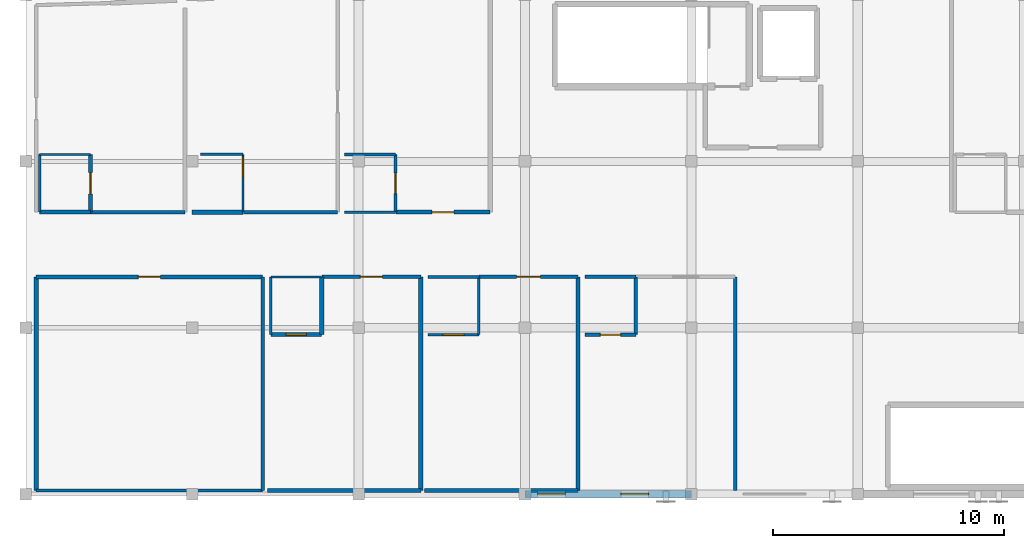
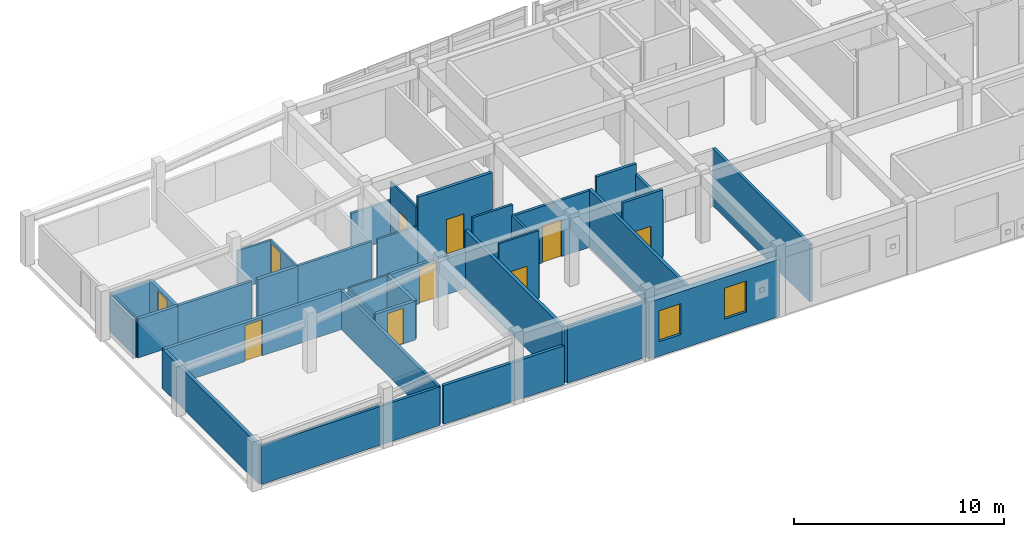
# One storey, part 19 of 24: 35 walls, 10 doors, 2 windows, 12 openings.
"""IFC4 building model written with IfcOpenShell, lengths in metres."""

import ifcopenshell
import ifcopenshell.guid

model = None  # the IFC model being written
_history = None  # IfcOwnerHistory: only IFC2X3 demands one
_inside = {}  # id of a spatial element -> (the spatial element, [elements in it])
_under = {}  # id of a project, library or spatial element -> (it, [spatial elements below it])
_declared = {}  # id of a project -> (the project, [libraries it declares])
_typed = {}  # id of a type object -> (the type object, [elements of that type])
_made_of = {}  # id of a material, layer set ... -> (it, [elements and type objects made of it])


def new_model(schema):
    """Start an empty IFC model of exactly this schema.

    Asked for "IFC4X3", IfcOpenShell would pick the latest addendum, in which some entities
    have other attributes; the version numbers below select the first issue.
    IFC2X3 requires an IfcOwnerHistory on every rooted entity: one is made here for all.
    """
    global model, _history
    if schema == "IFC4X3":
        model = ifcopenshell.file(schema_version=(4, 3, 0, 0))
    else:
        model = ifcopenshell.file(schema=schema)
    _inside.clear()
    _under.clear()
    _declared.clear()
    _typed.clear()
    _made_of.clear()
    _history = None
    if model.schema == "IFC2X3":
        org = make("IfcOrganization", Name="unknown")
        user = make(
            "IfcPersonAndOrganization",
            ThePerson=make("IfcPerson", FamilyName="unknown"),
            TheOrganization=org,
        )
        app = make(
            "IfcApplication",
            ApplicationDeveloper=org,
            Version="unknown",
            ApplicationFullName="unknown",
            ApplicationIdentifier="unknown",
        )
        _history = make(
            "IfcOwnerHistory",
            OwningUser=user,
            OwningApplication=app,
            ChangeAction="ADDED",
            CreationDate=0,
        )
    return model


def make(cls, **values):
    """One entity of the class cls with the attributes given. An attribute that is None is left unset."""
    return model.create_entity(
        cls, **{name: value for name, value in values.items() if value is not None}
    )


def rooted(cls, **values):
    """An entity with a GlobalId (a new one), such as an element, a storey or a relation."""
    return make(cls, GlobalId=ifcopenshell.guid.new(), OwnerHistory=_history, **values)


def si_unit(unit_type, name, prefix=None):
    """IfcSIUnit, for example si_unit("LENGTHUNIT", "METRE", prefix="MILLI")."""
    return make("IfcSIUnit", UnitType=unit_type, Prefix=prefix, Name=name)


def assignment(units):
    """IfcUnitAssignment: the units of a project."""
    return None if units is None else make("IfcUnitAssignment", Units=units)


def point(xyz):
    """IfcCartesianPoint."""
    return None if xyz is None else make("IfcCartesianPoint", Coordinates=xyz)


def direction(xyz):
    """IfcDirection."""
    return None if xyz is None else make("IfcDirection", DirectionRatios=xyz)


def frame(location, z_axis=None, x_axis=None):
    """IfcAxis2Placement3D, a coordinate frame: its origin and axes. An axis left out is left unset."""
    return make(
        "IfcAxis2Placement3D",
        Location=point(location),
        Axis=direction(z_axis),
        RefDirection=direction(x_axis),
    )


def frame_2d(location, x_axis=None):
    """IfcAxis2Placement2D, a coordinate frame in the plane: its origin and x axis."""
    return make(
        "IfcAxis2Placement2D", Location=point(location), RefDirection=direction(x_axis)
    )


def origin():
    """The frame at (0, 0, 0) with its axes left unset."""
    return frame((0.0, 0.0, 0.0))


def place(relative_to, where):
    """IfcLocalPlacement: puts the frame where relative to a parent placement (None: the world)."""
    return make(
        "IfcLocalPlacement", PlacementRelTo=relative_to, RelativePlacement=where
    )


def context(
    kind, dimensions, precision=None, world=None, true_north=None, identifier=None
):
    """IfcGeometricRepresentationContext, for example the 3D "Model" context."""
    return make(
        "IfcGeometricRepresentationContext",
        ContextIdentifier=identifier,
        ContextType=kind,
        CoordinateSpaceDimension=dimensions,
        Precision=precision,
        WorldCoordinateSystem=world,
        TrueNorth=true_north,
    )


def subcontext(parent, identifier, kind, view, scale=None):
    """IfcGeometricRepresentationSubContext, for example "Body" below "Model"."""
    return make(
        "IfcGeometricRepresentationSubContext",
        ContextIdentifier=identifier,
        ContextType=kind,
        ParentContext=parent,
        TargetScale=scale,
        TargetView=view,
    )


def project(units=None, contexts=None):
    """IfcProject with its units and contexts."""
    return rooted(
        "IfcProject",
        Name="project",
        RepresentationContexts=contexts,
        UnitsInContext=assignment(units),
    )


def spatial(cls, under=None, at=None, **own):
    """A site, building, storey or space (cls), placed at a placement, below another one or the project."""
    s = rooted(cls, ObjectPlacement=at, **own)
    if under is not None:
        _under.setdefault(under.id(), (under, []))[1].append(s)
    return s


def profile(cls, at=None, kind="AREA", **sizes):
    """A parametric profile (cls). Its sizes go by their IFC names, for example OverallWidth=200.0."""
    return make(cls, ProfileType=kind, Position=at, **sizes)


def rectangle(**sizes):
    """IfcRectangleProfileDef."""
    return profile("IfcRectangleProfileDef", **sizes)


def extrude(swept, where, along, depth):
    """IfcExtrudedAreaSolid: the profile swept, set in the frame where, extruded along a direction by depth."""
    return make(
        "IfcExtrudedAreaSolid",
        SweptArea=swept,
        Position=where,
        ExtrudedDirection=direction(along),
        Depth=depth,
    )


def shape(context_of_items, identifier, shape_type, items):
    """IfcShapeRepresentation: the items that make up one representation, for example the "Body"."""
    return make(
        "IfcShapeRepresentation",
        ContextOfItems=context_of_items,
        RepresentationIdentifier=identifier,
        RepresentationType=shape_type,
        Items=items,
    )


def material(Name=None, Category=None):
    """IfcMaterial."""
    return make("IfcMaterial", Name=Name, Category=Category)


def layer(
    of_material, thickness, ventilated=None, Name=None, Category=None, Priority=None
):
    """IfcMaterialLayer: one layer of a wall or slab, of a material (None: an air gap)."""
    return make(
        "IfcMaterialLayer",
        Material=of_material,
        LayerThickness=thickness,
        IsVentilated=ventilated,
        Name=Name,
        Category=Category,
        Priority=Priority,
    )


def layer_set(layers, Name=None):
    """IfcMaterialLayerSet."""
    return make("IfcMaterialLayerSet", MaterialLayers=layers, LayerSetName=Name)


def made_of(thing, what):
    """Note that an element or type object is made of a material, layer set ...; save() writes the relation."""
    if what is not None:
        _made_of.setdefault(what.id(), (what, []))[1].append(thing)
    return thing


def type_object(cls, material=None, **own):
    """A type object (cls), such as IfcWallType, which elements share."""
    return made_of(rooted(cls, **own), material)


def element(
    cls,
    number,
    at=None,
    inside=None,
    cuts=None,
    type_object=None,
    material=None,
    context=None,
    identifier="Body",
    shape_type=None,
    held_by="IfcProductDefinitionShape",
    body=None,
    shapes=None,
    **own,
):
    """One element of the class cls, such as IfcWall. Its Tag is "e" and its number.

    at: its placement. inside: the storey or other place that contains it. cuts: it is an
    opening in that element (IfcRelVoidsElement). A single representation is given by context,
    identifier, shape_type and body (its items); several are given by shapes. held_by: the class
    of the entity that holds the representations. save() writes the other relations.
    """
    e = rooted(cls, Tag="e%d" % number, ObjectPlacement=at, **own)
    if body is not None:
        shapes = [shape(context, identifier, shape_type, body)]
    if shapes is not None:
        e.Representation = make(held_by, Representations=shapes)
    if inside is not None:
        _inside.setdefault(inside.id(), (inside, []))[1].append(e)
    if cuts is not None:
        rooted(
            "IfcRelVoidsElement", RelatingBuildingElement=cuts, RelatedOpeningElement=e
        )
    if type_object is not None:
        _typed.setdefault(type_object.id(), (type_object, []))[1].append(e)
    return made_of(e, material)


def fill(opening, filler):
    """IfcRelFillsElement: the door or window that sits in an opening."""
    return rooted(
        "IfcRelFillsElement",
        RelatingOpeningElement=opening,
        RelatedBuildingElement=filler,
    )


def aggregate(whole, parts):
    """IfcRelAggregates: a whole, such as a stair, and the parts it consists of."""
    return rooted("IfcRelAggregates", RelatingObject=whole, RelatedObjects=parts)


def save(model, path):
    """Write the relations noted so far, then the file.

    IfcRelAggregates (storeys below a building ...), IfcRelContainedInSpatialStructure (elements
    in a storey), IfcRelDefinesByType, IfcRelAssociatesMaterial and IfcRelDeclares: one each for
    every whole, place, type object, material and project.
    """
    for whole, parts in _under.values():
        aggregate(whole, parts)
    for where, things in _inside.values():
        rooted(
            "IfcRelContainedInSpatialStructure",
            RelatedElements=things,
            RelatingStructure=where,
        )
    for kind, things in _typed.values():
        rooted("IfcRelDefinesByType", RelatedObjects=things, RelatingType=kind)
    for what, things in _made_of.values():
        rooted("IfcRelAssociatesMaterial", RelatedObjects=things, RelatingMaterial=what)
    for by, libraries in _declared.values():
        rooted("IfcRelDeclares", RelatingContext=by, RelatedDefinitions=libraries)
    model.write(path)


model = new_model("IFC4")

# Units and contexts
model_context = context("Model", 3, precision=1e-05, world=origin(), true_north=direction((0.0, 1.0)))
body_context = subcontext(model_context, "Body", "Model", "MODEL_VIEW")
ifc_project = project(units=[si_unit("LENGTHUNIT", "METRE"), si_unit("AREAUNIT", "SQUARE_METRE"), si_unit("VOLUMEUNIT", "CUBIC_METRE"), si_unit("PLANEANGLEUNIT", "RADIAN"), si_unit("MASSUNIT", "GRAM", prefix="KILO")], contexts=[model_context])

# Site, building, storey
site_placement = place(None, origin())
site = spatial("IfcSite", under=ifc_project, at=site_placement, CompositionType="ELEMENT")
building_placement = place(site_placement, origin())
building = spatial("IfcBuilding", under=site, at=building_placement, Name="Carrowvane Square Congress Hotel", CompositionType="ELEMENT")
storey_placement = place(building_placement, frame((0.0, 0.0, 44.39990234375)))
storey = spatial("IfcBuildingStorey", under=building, at=storey_placement, Name="L11", CompositionType="ELEMENT", Elevation=44.39990234375)

# Wall, openings, windows
ifc_material_1 = material(Name="Glazed terracotta rainscreen", Category="masonry")
ifc_layer_1 = layer(ifc_material_1, 0.330078125)
ifc_layer_set_1 = layer_set([ifc_layer_1], Name="Glazed terracotta rainscreen")
wall_type_1 = type_object("IfcWallType", Name="WL-EXT-TC330", PredefinedType="STANDARD", material=ifc_layer_set_1)
wall_1_placement = place(storey_placement, frame((62.0, 91.800048828125, 0.0), z_axis=(0.0, 0.0, 1.0), x_axis=(-1.0, 0.0, 0.0)))
wall_1 = element("IfcWall", 1, at=wall_1_placement, inside=storey, type_object=wall_type_1, Name="L11 exterior facade wall 614", PredefinedType="STANDARD", context=body_context, shape_type="SweptSolid", body=[
    extrude(rectangle(XDim=7.199951171875, YDim=0.330078125, at=frame_2d((3.60009765625, 0.0))), origin(), (0.0, 0.0, 1.0), 3.335205078125),
])
opening_1_placement = place(wall_1_placement, frame((1.85498046875, 0.0, 0.89990234375)))
opening_1 = element("IfcOpeningElement", 2, at=opening_1_placement, cuts=wall_1, Name="Opening W-01", PredefinedType="OPENING", context=body_context, shape_type="SweptSolid", body=[
    extrude(rectangle(XDim=1.199951171875, YDim=1.800048828125, at=frame_2d((0.60009765625, 0.89990234375))), frame((0.0, 0.175048828125, 0.0), z_axis=(0.0, -1.0, 0.0), x_axis=(1.0, 0.0, 0.0)), (0.0, 0.0, 1.0), 0.35009765625),
])
opening_2_placement = place(wall_1_placement, frame((5.455078125, 0.0, 0.85009765625)))
opening_2 = element("IfcOpeningElement", 3, at=opening_2_placement, cuts=wall_1, Name="Opening W-01", PredefinedType="OPENING", context=body_context, shape_type="SweptSolid", body=[
    extrude(rectangle(XDim=1.199951171875, YDim=1.800048828125, at=frame_2d((0.60009765625, 0.89990234375))), frame((0.0, 0.175048828125, 0.0), z_axis=(0.0, -1.0, 0.0), x_axis=(1.0, 0.0, 0.0)), (0.0, 0.0, 1.0), 0.35009765625),
])
ifc_material_2 = material(Name="Double-glazed low-E glass", Category="glass")
window_type = type_object("IfcWindowType", Name="WIN-01", PartitioningType="SINGLE_PANEL", PredefinedType="WINDOW", material=ifc_material_2)
window_1_placement = place(opening_1_placement, origin())
window_1 = element("IfcWindow", 4, at=window_1_placement, inside=storey, type_object=window_type, Name="L11 facade window 516", OverallHeight=1.800048828125, OverallWidth=1.199951171875, PartitioningType="SINGLE_PANEL", PredefinedType="WINDOW", context=body_context, shape_type="SweptSolid", body=[
    extrude(rectangle(XDim=1.199951171875, YDim=1.800048828125, at=frame_2d((0.60009765625, 0.89990234375))), frame((0.0, 0.030029296875, 0.0), z_axis=(0.0, -1.0, 0.0), x_axis=(1.0, 0.0, 0.0)), (0.0, 0.0, 1.0), 0.06005859375),
])
fill(opening_1, window_1)
window_2_placement = place(opening_2_placement, origin())
window_2 = element("IfcWindow", 5, at=window_2_placement, inside=storey, type_object=window_type, Name="L11 guest bedroom window 517", OverallHeight=1.800048828125, OverallWidth=1.199951171875, PartitioningType="SINGLE_PANEL", PredefinedType="WINDOW", context=body_context, shape_type="SweptSolid", body=[
    extrude(rectangle(XDim=1.199951171875, YDim=1.800048828125, at=frame_2d((0.60009765625, 0.89990234375))), frame((0.0, 0.030029296875, 0.0), z_axis=(0.0, -1.0, 0.0), x_axis=(1.0, 0.0, 0.0)), (0.0, 0.0, 1.0), 0.06005859375),
])
fill(opening_2, window_2)

# Wall
ifc_material_3 = material(Name="Acoustic gypsum board", Category="gypsum")
ifc_layer_2 = layer(ifc_material_3, 0.155029296875)
ifc_layer_set_2 = layer_set([ifc_layer_2], Name="Acoustic gypsum board")
wall_type_2 = type_object("IfcWallType", Name="WL-FIR-155", PredefinedType="PARTITIONING", material=ifc_layer_set_2)
wall_2_placement = place(storey_placement, frame((43.449951171875, 101.199951171875, 0.0), z_axis=(0.0, 0.0, 1.0), x_axis=(0.0, -1.0, 0.0)))
element("IfcWall", 6, at=wall_2_placement, inside=storey, type_object=wall_type_2, Name="L11 L11 Crown West Terrace Lounge partition", PredefinedType="PARTITIONING", context=body_context, shape_type="SweptSolid", body=[
    extrude(rectangle(XDim=9.239990234375, YDim=0.155029296875, at=frame_2d((4.6201171875, 0.0))), origin(), (0.0, 0.0, 1.0), 2.25),
])

# Wall, opening, door
wall_3_placement = place(storey_placement, frame((46.010009765625, 101.199951171875, 0.0), z_axis=(0.0, 0.0, 1.0), x_axis=(1.0, 0.0, 0.0)))
wall_3 = element("IfcWall", 7, at=wall_3_placement, inside=storey, type_object=wall_type_2, Name="L11 Hotel Suite 1101 partition", PredefinedType="PARTITIONING", context=body_context, shape_type="SweptSolid", body=[
    extrude(rectangle(XDim=4.280029296875, YDim=0.155029296875, at=frame_2d((2.14013671875, 0.0))), origin(), (0.0, 0.0, 1.0), 2.25),
])
opening_3_placement = place(wall_3_placement, frame((1.6650390625, 0.0, 0.0)))
opening_3 = element("IfcOpeningElement", 8, at=opening_3_placement, cuts=wall_3, Name="Opening FD-06", PredefinedType="OPENING", context=body_context, shape_type="SweptSolid", body=[
    extrude(rectangle(XDim=0.949951171875, YDim=2.10009765625, at=frame_2d((0.47509765625, 1.050048828125))), frame((0.0, 0.08740234375, 0.0), z_axis=(0.0, -1.0, 0.0), x_axis=(1.0, 0.0, 0.0)), (0.0, 0.0, 1.0), 0.175048828125),
])
ifc_material_4 = material(Name="European oak timber", Category="wood")
door_type_1 = type_object("IfcDoorType", Name="DR-FD30-0950x2100", OperationType="NOTDEFINED", PredefinedType="DOOR", material=ifc_material_4)
door_1_placement = place(opening_3_placement, origin())
door_1 = element("IfcDoor", 9, at=door_1_placement, inside=storey, type_object=door_type_1, Name="L11 Hotel Suite 1101 entrance door", OperationType="SINGLE_SWING_LEFT", OverallHeight=2.10009765625, OverallWidth=0.949951171875, PredefinedType="DOOR", context=body_context, shape_type="SweptSolid", body=[
    extrude(rectangle(XDim=0.949951171875, YDim=2.10009765625, at=frame_2d((0.47509765625, 1.050048828125))), frame((0.0, 0.02490234375, 0.0), z_axis=(0.0, -1.0, 0.0), x_axis=(1.0, 0.0, 0.0)), (0.0, 0.0, 1.0), 0.050048828125),
])
fill(opening_3, door_1)

# Walls
wall_4_placement = place(storey_placement, frame((57.090087890625, 91.9599609375, 0.0), z_axis=(0.0, 0.0, 1.0), x_axis=(-1.0, 0.0, 0.0)))
element("IfcWall", 10, at=wall_4_placement, inside=storey, type_object=wall_type_2, Name="L11 Hotel Suite 1102 partition", PredefinedType="PARTITIONING", context=body_context, shape_type="SweptSolid", body=[
    extrude(rectangle(XDim=6.64013671875, YDim=0.155029296875, at=frame_2d((3.320068359375, 0.0))), origin(), (0.0, 0.0, 1.0), 3.28515625),
])
wall_5_placement = place(storey_placement, frame((57.39990234375, 101.199951171875, 0.0), z_axis=(0.0, 0.0, 1.0), x_axis=(1.0, 0.0, 0.0)))
element("IfcWall", 11, at=wall_5_placement, inside=storey, type_object=wall_type_2, Name="L11 En-suite Bathroom 1103 partition", PredefinedType="PARTITIONING", context=body_context, shape_type="SweptSolid", body=[
    extrude(rectangle(XDim=2.2001953125, YDim=0.155029296875, at=frame_2d((1.10009765625, 0.0))), origin(), (0.0, 0.0, 1.0), 3.9501953125),
])
wall_6_placement = place(storey_placement, frame((63.889892578125, 101.199951171875, 0.0), z_axis=(0.0, 0.0, 1.0), x_axis=(0.0, -1.0, 0.0)))
element("IfcWall", 12, at=wall_6_placement, inside=storey, type_object=wall_type_2, Name="L11 Hotel Suite 1103 partition", PredefinedType="PARTITIONING", context=body_context, shape_type="SweptSolid", body=[
    extrude(rectangle(XDim=9.239990234375, YDim=0.155029296875, at=frame_2d((4.6201171875, 0.0))), origin(), (0.0, 0.0, 1.0), 3.335205078125),
])
wall_7_placement = place(storey_placement, frame((40.090087890625, 104.0, 0.0), z_axis=(0.0, 0.0, 1.0), x_axis=(-1.0, 0.0, 0.0)))
element("IfcWall", 13, at=wall_7_placement, inside=storey, type_object=wall_type_2, Name="L11 Parkview Suite 1104 partition", PredefinedType="PARTITIONING", context=body_context, shape_type="SweptSolid", body=[
    extrude(rectangle(XDim=4.080078125, YDim=0.155029296875, at=frame_2d((2.0400390625, 0.0))), origin(), (0.0, 0.0, 1.0), 2.25),
])

# Wall, opening, door
ifc_material_5 = material(Name="Acoustic gypsum board", Category="gypsum")
ifc_layer_3 = layer(ifc_material_5, 0.169921875)
ifc_layer_set_3 = layer_set([ifc_layer_3], Name="Acoustic gypsum board")
wall_type_3 = type_object("IfcWallType", Name="WL-FIR-170", PredefinedType="PARTITIONING", material=ifc_layer_set_3)
wall_8_placement = place(storey_placement, frame((33.64990234375, 101.199951171875, 0.0), z_axis=(0.0, 0.0, 1.0), x_axis=(1.0, 0.0, 0.0)))
wall_8 = element("IfcWall", 14, at=wall_8_placement, inside=storey, type_object=wall_type_3, Name="L11 L11 Crown West Terrace Lounge partition", PredefinedType="PARTITIONING", context=body_context, shape_type="SweptSolid", body=[
    extrude(rectangle(XDim=9.800048828125, YDim=0.169921875, at=frame_2d((4.89990234375, 0.0))), origin(), (0.0, 0.0, 1.0), 2.25),
])
opening_4_placement = place(wall_8_placement, frame((4.425048828125, 0.0, 0.0)))
opening_4 = element("IfcOpeningElement", 15, at=opening_4_placement, cuts=wall_8, Name="Opening FD-06", PredefinedType="OPENING", context=body_context, shape_type="SweptSolid", body=[
    extrude(rectangle(XDim=0.949951171875, YDim=2.10009765625, at=frame_2d((0.47509765625, 1.050048828125))), frame((0.0, 0.094970703125, 0.0), z_axis=(0.0, -1.0, 0.0), x_axis=(1.0, 0.0, 0.0)), (0.0, 0.0, 1.0), 0.18994140625),
])
door_2_placement = place(opening_4_placement, origin())
door_2 = element("IfcDoor", 16, at=door_2_placement, inside=storey, type_object=door_type_1, Name="L11 L11 Crown West Terrace Lounge entrance door", OperationType="SINGLE_SWING_RIGHT", OverallHeight=2.10009765625, OverallWidth=0.949951171875, PredefinedType="DOOR", context=body_context, shape_type="SweptSolid", body=[
    extrude(rectangle(XDim=0.949951171875, YDim=2.10009765625, at=frame_2d((0.47509765625, 1.050048828125))), frame((0.0, 0.02490234375, 0.0), z_axis=(0.0, -1.0, 0.0), x_axis=(1.0, 0.0, 0.0)), (0.0, 0.0, 1.0), 0.050048828125),
])
fill(opening_4, door_2)

wall_9_placement = place(storey_placement, frame((46.0, 98.699951171875, 0.0), z_axis=(0.0, 0.0, 1.0), x_axis=(-1.0, 0.0, 0.0)))
wall_9 = element("IfcWall", 17, at=wall_9_placement, inside=storey, type_object=wall_type_3, Name="L11 En-suite Bathroom 1101 partition", PredefinedType="PARTITIONING", context=body_context, shape_type="SweptSolid", body=[
    extrude(rectangle(XDim=2.199951171875, YDim=0.169921875, at=frame_2d((1.10009765625, 0.0))), origin(), (0.0, 0.0, 1.0), 2.25),
])
opening_5_placement = place(wall_9_placement, frame((0.6650390625, 0.0, 0.0)))
opening_5 = element("IfcOpeningElement", 18, at=opening_5_placement, cuts=wall_9, Name="Opening ID-15", PredefinedType="OPENING", context=body_context, shape_type="SweptSolid", body=[
    extrude(rectangle(XDim=0.8701171875, YDim=2.070068359375, at=frame_2d((0.43505859375, 1.03515625))), frame((0.0, 0.094970703125, 0.0), z_axis=(0.0, -1.0, 0.0), x_axis=(1.0, 0.0, 0.0)), (0.0, 0.0, 1.0), 0.18994140625),
])
ifc_material_6 = material(Name="European oak timber", Category="wood")
door_type_2 = type_object("IfcDoorType", Name="DR-INT-0870x2070", OperationType="NOTDEFINED", PredefinedType="DOOR", material=ifc_material_6)
door_3_placement = place(opening_5_placement, origin())
door_3 = element("IfcDoor", 19, at=door_3_placement, inside=storey, type_object=door_type_2, Name="L11 En-suite Bathroom 1101 door", OperationType="SINGLE_SWING_RIGHT", OverallHeight=2.070068359375, OverallWidth=0.8701171875, PredefinedType="DOOR", context=body_context, shape_type="SweptSolid", body=[
    extrude(rectangle(XDim=0.8701171875, YDim=2.070068359375, at=frame_2d((0.43505859375, 1.03515625))), frame((0.0, 0.02490234375, 0.0), z_axis=(0.0, -1.0, 0.0), x_axis=(1.0, 0.0, 0.0)), (0.0, 0.0, 1.0), 0.050048828125),
])
fill(opening_5, door_3)

# Walls
wall_10_placement = place(storey_placement, frame((50.2900390625, 91.9599609375, 0.0), z_axis=(0.0, 0.0, 1.0), x_axis=(-1.0, 0.0, 0.0)))
element("IfcWall", 20, at=wall_10_placement, inside=storey, type_object=wall_type_3, Name="L11 Hotel Suite 1101 partition", PredefinedType="PARTITIONING", context=body_context, shape_type="SweptSolid", body=[
    extrude(rectangle(XDim=6.64013671875, YDim=0.169921875, at=frame_2d((3.320068359375, 0.0))), origin(), (0.0, 0.0, 1.0), 2.25),
])
wall_11_placement = place(storey_placement, frame((57.090087890625, 101.199951171875, 0.0), z_axis=(0.0, 0.0, 1.0), x_axis=(0.0, -1.0, 0.0)))
element("IfcWall", 21, at=wall_11_placement, inside=storey, type_object=wall_type_3, Name="L11 Hotel Suite 1102 partition", PredefinedType="PARTITIONING", context=body_context, shape_type="SweptSolid", body=[
    extrude(rectangle(XDim=9.239990234375, YDim=0.169921875, at=frame_2d((4.6201171875, 0.0))), origin(), (0.0, 0.0, 1.0), 3.335205078125),
])
wall_12_placement = place(storey_placement, frame((36.0, 104.0, 0.0), z_axis=(0.0, 0.0, 1.0), x_axis=(-1.0, 0.0, 0.0)))
element("IfcWall", 22, at=wall_12_placement, inside=storey, type_object=wall_type_3, Name="L11 En-suite Bathroom 1104 partition", PredefinedType="PARTITIONING", context=body_context, shape_type="SweptSolid", body=[
    extrude(rectangle(XDim=2.199951171875, YDim=0.169921875, at=frame_2d((1.10009765625, 0.0))), origin(), (0.0, 0.0, 1.0), 2.25),
])

# Wall, opening, door
wall_13_placement = place(storey_placement, frame((53.2900390625, 104.0, 0.0), z_axis=(0.0, 0.0, 1.0), x_axis=(-1.0, 0.0, 0.0)))
wall_13 = element("IfcWall", 23, at=wall_13_placement, inside=storey, type_object=wall_type_3, Name="L11 Parkview Suite 1106 partition", PredefinedType="PARTITIONING", context=body_context, shape_type="SweptSolid", body=[
    extrude(rectangle(XDim=4.080078125, YDim=0.169921875, at=frame_2d((2.0400390625, 0.0))), origin(), (0.0, 0.0, 1.0), 3.9501953125),
])
opening_6_placement = place(wall_13_placement, frame((1.56494140625, 0.0, 0.0)))
opening_6 = element("IfcOpeningElement", 24, at=opening_6_placement, cuts=wall_13, Name="Opening FD-06", PredefinedType="OPENING", context=body_context, shape_type="SweptSolid", body=[
    extrude(rectangle(XDim=0.949951171875, YDim=2.10009765625, at=frame_2d((0.47509765625, 1.050048828125))), frame((0.0, 0.094970703125, 0.0), z_axis=(0.0, -1.0, 0.0), x_axis=(1.0, 0.0, 0.0)), (0.0, 0.0, 1.0), 0.18994140625),
])
door_4_placement = place(opening_6_placement, origin())
door_4 = element("IfcDoor", 25, at=door_4_placement, inside=storey, type_object=door_type_1, Name="L11 Parkview Suite 1106 entrance door", OperationType="SINGLE_SWING_LEFT", OverallHeight=2.10009765625, OverallWidth=0.949951171875, PredefinedType="DOOR", context=body_context, shape_type="SweptSolid", body=[
    extrude(rectangle(XDim=0.949951171875, YDim=2.10009765625, at=frame_2d((0.47509765625, 1.050048828125))), frame((0.0, 0.02490234375, 0.0), z_axis=(0.0, -1.0, 0.0), x_axis=(1.0, 0.0, 0.0)), (0.0, 0.0, 1.0), 0.050048828125),
])
fill(opening_6, door_4)

# Walls
ifc_material_7 = material(Name="Acoustic gypsum board", Category="gypsum")
ifc_layer_4 = layer(ifc_material_7, 0.18505859375)
ifc_layer_set_4 = layer_set([ifc_layer_4], Name="Acoustic gypsum board")
wall_type_4 = type_object("IfcWallType", Name="WL-FIR-185", PredefinedType="PARTITIONING", material=ifc_layer_set_4)
wall_14_placement = place(storey_placement, frame((33.64990234375, 91.9599609375, 0.0), z_axis=(0.0, 0.0, 1.0), x_axis=(0.0, 1.0, 0.0)))
element("IfcWall", 26, at=wall_14_placement, inside=storey, type_object=wall_type_4, Name="L11 L11 Crown West Terrace Lounge partition", PredefinedType="PARTITIONING", context=body_context, shape_type="SweptSolid", body=[
    extrude(rectangle(XDim=9.239990234375, YDim=0.18505859375, at=frame_2d((4.6201171875, 0.0))), origin(), (0.0, 0.0, 1.0), 2.25),
])
wall_15_placement = place(storey_placement, frame((46.0, 101.199951171875, 0.0), z_axis=(0.0, 0.0, 1.0), x_axis=(0.0, -1.0, 0.0)))
element("IfcWall", 27, at=wall_15_placement, inside=storey, type_object=wall_type_4, Name="L11 En-suite Bathroom 1101 partition", PredefinedType="PARTITIONING", context=body_context, shape_type="SweptSolid", body=[
    extrude(rectangle(XDim=2.5, YDim=0.18505859375, at=frame_2d((1.25, 0.0))), origin(), (0.0, 0.0, 1.0), 2.25),
])
wall_16_placement = place(storey_placement, frame((50.2900390625, 101.199951171875, 0.0), z_axis=(0.0, 0.0, 1.0), x_axis=(0.0, -1.0, 0.0)))
element("IfcWall", 28, at=wall_16_placement, inside=storey, type_object=wall_type_4, Name="L11 Hotel Suite 1101 partition", PredefinedType="PARTITIONING", context=body_context, shape_type="SweptSolid", body=[
    extrude(rectangle(XDim=9.239990234375, YDim=0.18505859375, at=frame_2d((4.6201171875, 0.0))), origin(), (0.0, 0.0, 1.0), 3.335205078125),
])

# Wall, opening, door
wall_17_placement = place(storey_placement, frame((36.0, 106.5, 0.0), z_axis=(0.0, 0.0, 1.0), x_axis=(0.0, -1.0, 0.0)))
wall_17 = element("IfcWall", 29, at=wall_17_placement, inside=storey, type_object=wall_type_4, Name="L11 En-suite Bathroom 1104 partition", PredefinedType="PARTITIONING", context=body_context, shape_type="SweptSolid", body=[
    extrude(rectangle(XDim=2.5, YDim=0.18505859375, at=frame_2d((1.25, 0.0))), origin(), (0.0, 0.0, 1.0), 2.25),
])
opening_7_placement = place(wall_17_placement, frame((0.7900390625, 0.0, 0.0)))
opening_7 = element("IfcOpeningElement", 30, at=opening_7_placement, cuts=wall_17, Name="Opening ID-03", PredefinedType="OPENING", context=body_context, shape_type="SweptSolid", body=[
    extrude(rectangle(XDim=0.919921875, YDim=2.10009765625, at=frame_2d((0.4599609375, 1.050048828125))), frame((0.0, 0.1025390625, 0.0), z_axis=(0.0, -1.0, 0.0), x_axis=(1.0, 0.0, 0.0)), (0.0, 0.0, 1.0), 0.205078125),
])
ifc_material_8 = material(Name="European oak timber", Category="wood")
door_type_3 = type_object("IfcDoorType", Name="DR-INT-0920x2100", OperationType="NOTDEFINED", PredefinedType="DOOR", material=ifc_material_8)
door_5_placement = place(opening_7_placement, origin())
door_5 = element("IfcDoor", 31, at=door_5_placement, inside=storey, type_object=door_type_3, Name="L11 En-suite Bathroom 1104 door", OperationType="SINGLE_SWING_RIGHT", OverallHeight=2.10009765625, OverallWidth=0.919921875, PredefinedType="DOOR", context=body_context, shape_type="SweptSolid", body=[
    extrude(rectangle(XDim=0.919921875, YDim=2.10009765625, at=frame_2d((0.4599609375, 1.050048828125))), frame((0.0, 0.02490234375, 0.0), z_axis=(0.0, -1.0, 0.0), x_axis=(1.0, 0.0, 0.0)), (0.0, 0.0, 1.0), 0.050048828125),
])
fill(opening_7, door_5)

# Walls
wall_18_placement = place(storey_placement, frame((42.60009765625, 104.0, 0.0), z_axis=(0.0, 0.0, 1.0), x_axis=(-1.0, 0.0, 0.0)))
element("IfcWall", 32, at=wall_18_placement, inside=storey, type_object=wall_type_4, Name="L11 En-suite Bathroom 1105 partition", PredefinedType="PARTITIONING", context=body_context, shape_type="SweptSolid", body=[
    extrude(rectangle(XDim=2.2001953125, YDim=0.18505859375, at=frame_2d((1.10009765625, 0.0))), origin(), (0.0, 0.0, 1.0), 2.25),
])
ifc_material_9 = material(Name="Acoustic gypsum board", Category="gypsum")
ifc_layer_5 = layer(ifc_material_9, 0.097900390625)
ifc_layer_set_5 = layer_set([ifc_layer_5], Name="Acoustic gypsum board")
wall_type_5 = type_object("IfcWallType", Name="WL-PRT-098", PredefinedType="PARTITIONING", material=ifc_layer_set_5)
for number, where, z_axis, x_axis, name in (
    (33, (43.800048828125, 101.199951171875, 0.0), (0.0, 0.0, 1.0), (1.0, 0.0, 0.0), "L11 En-suite Bathroom 1101 partition"),
    (34, (33.800048828125, 106.5, 0.0), (0.0, 0.0, 1.0), (1.0, 0.0, 0.0), "L11 En-suite Bathroom 1104 partition"),
):
    element("IfcWall", number, at=place(storey_placement, frame(where, z_axis=z_axis, x_axis=x_axis)), inside=storey, type_object=wall_type_5, Name=name, PredefinedType="PARTITIONING", context=body_context, shape_type="SweptSolid", body=[
        extrude(rectangle(XDim=2.199951171875, YDim=0.097900390625, at=frame_2d((1.10009765625, 0.0))), origin(), (0.0, 0.0, 1.0), 2.25),
    ])

# Wall, opening, door
wall_19_placement = place(storey_placement, frame((42.60009765625, 106.5, 0.0), z_axis=(0.0, 0.0, 1.0), x_axis=(0.0, -1.0, 0.0)))
wall_19 = element("IfcWall", 35, at=wall_19_placement, inside=storey, type_object=wall_type_5, Name="L11 En-suite Bathroom 1105 partition", PredefinedType="PARTITIONING", context=body_context, shape_type="SweptSolid", body=[
    extrude(rectangle(XDim=2.5, YDim=0.097900390625, at=frame_2d((1.25, 0.0))), origin(), (0.0, 0.0, 1.0), 2.25),
])
opening_8_placement = place(wall_19_placement, frame((0.1201171875, 0.0, 0.0)))
opening_8 = element("IfcOpeningElement", 36, at=opening_8_placement, cuts=wall_19, Name="Opening ID-15", PredefinedType="OPENING", context=body_context, shape_type="SweptSolid", body=[
    extrude(rectangle(XDim=0.8701171875, YDim=2.070068359375, at=frame_2d((0.43505859375, 1.03515625))), frame((0.0, 0.058837890625, 0.0), z_axis=(0.0, -1.0, 0.0), x_axis=(1.0, 0.0, 0.0)), (0.0, 0.0, 1.0), 0.117919921875),
])
door_6_placement = place(opening_8_placement, origin())
door_6 = element("IfcDoor", 37, at=door_6_placement, inside=storey, type_object=door_type_2, Name="L11 En-suite Bathroom 1105 door", OperationType="SINGLE_SWING_RIGHT", OverallHeight=2.070068359375, OverallWidth=0.8701171875, PredefinedType="DOOR", context=body_context, shape_type="SweptSolid", body=[
    extrude(rectangle(XDim=0.8701171875, YDim=2.070068359375, at=frame_2d((0.43505859375, 1.03515625))), frame((0.0, 0.02490234375, 0.0), z_axis=(0.0, -1.0, 0.0), x_axis=(1.0, 0.0, 0.0)), (0.0, 0.0, 1.0), 0.050048828125),
])
fill(opening_8, door_6)

# Wall
ifc_material_10 = material(Name="Acoustic gypsum board", Category="gypsum")
ifc_layer_6 = layer(ifc_material_10, 0.10791015625)
ifc_layer_set_6 = layer_set([ifc_layer_6], Name="Acoustic gypsum board")
wall_type_6 = type_object("IfcWallType", Name="WL-PRT-108", PredefinedType="PARTITIONING", material=ifc_layer_set_6)
wall_20_placement = place(storey_placement, frame((43.800048828125, 98.699951171875, 0.0), z_axis=(0.0, 0.0, 1.0), x_axis=(0.0, 1.0, 0.0)))
element("IfcWall", 38, at=wall_20_placement, inside=storey, type_object=wall_type_6, Name="L11 En-suite Bathroom 1101 partition", PredefinedType="PARTITIONING", context=body_context, shape_type="SweptSolid", body=[
    extrude(rectangle(XDim=2.5, YDim=0.10791015625, at=frame_2d((1.25, 0.0))), origin(), (0.0, 0.0, 1.0), 2.25),
])

# Wall, opening, door
wall_21_placement = place(storey_placement, frame((52.800048828125, 98.699951171875, 0.0), z_axis=(0.0, 0.0, 1.0), x_axis=(-1.0, 0.0, 0.0)))
wall_21 = element("IfcWall", 39, at=wall_21_placement, inside=storey, type_object=wall_type_6, Name="L11 En-suite Bathroom 1102 partition", PredefinedType="PARTITIONING", context=body_context, shape_type="SweptSolid", body=[
    extrude(rectangle(XDim=2.199951171875, YDim=0.10791015625, at=frame_2d((1.10009765625, 0.0))), origin(), (0.0, 0.0, 1.0), 3.9501953125),
])
opening_9_placement = place(wall_21_placement, frame((0.64501953125, 0.0, 0.0)))
opening_9 = element("IfcOpeningElement", 40, at=opening_9_placement, cuts=wall_21, Name="Opening ID-17", PredefinedType="OPENING", context=body_context, shape_type="SweptSolid", body=[
    extrude(rectangle(XDim=0.909912109375, YDim=2.110107421875, at=frame_2d((0.455078125, 1.05517578125))), frame((0.0, 0.06396484375, 0.0), z_axis=(0.0, -1.0, 0.0), x_axis=(1.0, 0.0, 0.0)), (0.0, 0.0, 1.0), 0.1279296875),
])
ifc_material_11 = material(Name="European oak timber", Category="wood")
door_type_4 = type_object("IfcDoorType", Name="DR-INT-0910x2110", OperationType="NOTDEFINED", PredefinedType="DOOR", material=ifc_material_11)
door_7_placement = place(opening_9_placement, origin())
door_7 = element("IfcDoor", 41, at=door_7_placement, inside=storey, type_object=door_type_4, Name="L11 En-suite Bathroom 1102 door", OperationType="SINGLE_SWING_RIGHT", OverallHeight=2.110107421875, OverallWidth=0.909912109375, PredefinedType="DOOR", context=body_context, shape_type="SweptSolid", body=[
    extrude(rectangle(XDim=0.909912109375, YDim=2.110107421875, at=frame_2d((0.455078125, 1.05517578125))), frame((0.0, 0.02490234375, 0.0), z_axis=(0.0, -1.0, 0.0), x_axis=(1.0, 0.0, 0.0)), (0.0, 0.0, 1.0), 0.050048828125),
])
fill(opening_9, door_7)

# Walls
wall_22_placement = place(storey_placement, frame((33.800048828125, 104.0, 0.0), z_axis=(0.0, 0.0, 1.0), x_axis=(0.0, 1.0, 0.0)))
element("IfcWall", 42, at=wall_22_placement, inside=storey, type_object=wall_type_6, Name="L11 En-suite Bathroom 1104 partition", PredefinedType="PARTITIONING", context=body_context, shape_type="SweptSolid", body=[
    extrude(rectangle(XDim=2.5, YDim=0.10791015625, at=frame_2d((1.25, 0.0))), origin(), (0.0, 0.0, 1.0), 2.25),
])
wall_23_placement = place(storey_placement, frame((40.760009765625, 106.5, 0.0), z_axis=(0.0, 0.0, 1.0), x_axis=(1.0, 0.0, 0.0)))
element("IfcWall", 43, at=wall_23_placement, inside=storey, type_object=wall_type_6, Name="L11 En-suite Bathroom 1105 partition", PredefinedType="PARTITIONING", context=body_context, shape_type="SweptSolid", body=[
    extrude(rectangle(XDim=1.840087890625, YDim=0.10791015625, at=frame_2d((0.919921875, 0.0))), origin(), (0.0, 0.0, 1.0), 2.25),
])
wall_24_placement = place(storey_placement, frame((49.199951171875, 104.0, 0.0), z_axis=(0.0, 0.0, 1.0), x_axis=(-1.0, 0.0, 0.0)))
element("IfcWall", 44, at=wall_24_placement, inside=storey, type_object=wall_type_6, Name="L11 En-suite Bathroom 1106 partition", PredefinedType="PARTITIONING", context=body_context, shape_type="SweptSolid", body=[
    extrude(rectangle(XDim=2.199951171875, YDim=0.10791015625, at=frame_2d((1.10009765625, 0.0))), origin(), (0.0, 0.0, 1.0), 2.25),
])
ifc_material_12 = material(Name="Acoustic gypsum board", Category="gypsum")
ifc_layer_7 = layer(ifc_material_12, 0.117919921875)
ifc_layer_set_7 = layer_set([ifc_layer_7], Name="Acoustic gypsum board")
wall_type_7 = type_object("IfcWallType", Name="WL-PRT-118", PredefinedType="PARTITIONING", material=ifc_layer_set_7)
wall_25_placement = place(storey_placement, frame((52.800048828125, 101.199951171875, 0.0), z_axis=(0.0, 0.0, 1.0), x_axis=(0.0, -1.0, 0.0)))
element("IfcWall", 45, at=wall_25_placement, inside=storey, type_object=wall_type_7, Name="L11 En-suite Bathroom 1102 partition", PredefinedType="PARTITIONING", context=body_context, shape_type="SweptSolid", body=[
    extrude(rectangle(XDim=2.5, YDim=0.117919921875, at=frame_2d((1.25, 0.0))), origin(), (0.0, 0.0, 1.0), 3.335205078125),
])

# Wall, opening, door
wall_26_placement = place(storey_placement, frame((49.199951171875, 106.5, 0.0), z_axis=(0.0, 0.0, 1.0), x_axis=(0.0, -1.0, 0.0)))
wall_26 = element("IfcWall", 46, at=wall_26_placement, inside=storey, type_object=wall_type_7, Name="L11 En-suite Bathroom 1106 partition", PredefinedType="PARTITIONING", context=body_context, shape_type="SweptSolid", body=[
    extrude(rectangle(XDim=2.5, YDim=0.117919921875, at=frame_2d((1.25, 0.0))), origin(), (0.0, 0.0, 1.0), 3.335205078125),
])
opening_10_placement = place(wall_26_placement, frame((0.804931640625, 0.0, 0.0)))
opening_10 = element("IfcOpeningElement", 47, at=opening_10_placement, cuts=wall_26, Name="Opening ID-16", PredefinedType="OPENING", context=body_context, shape_type="SweptSolid", body=[
    extrude(rectangle(XDim=0.889892578125, YDim=2.090087890625, at=frame_2d((0.44482421875, 1.044921875))), frame((0.0, 0.06884765625, 0.0), z_axis=(0.0, -1.0, 0.0), x_axis=(1.0, 0.0, 0.0)), (0.0, 0.0, 1.0), 0.137939453125),
])
ifc_material_13 = material(Name="European oak timber", Category="wood")
door_type_5 = type_object("IfcDoorType", Name="DR-INT-0890x2090", OperationType="NOTDEFINED", PredefinedType="DOOR", material=ifc_material_13)
door_8_placement = place(opening_10_placement, origin())
door_8 = element("IfcDoor", 48, at=door_8_placement, inside=storey, type_object=door_type_5, Name="L11 En-suite Bathroom 1106 door", OperationType="SINGLE_SWING_RIGHT", OverallHeight=2.090087890625, OverallWidth=0.889892578125, PredefinedType="DOOR", context=body_context, shape_type="SweptSolid", body=[
    extrude(rectangle(XDim=0.889892578125, YDim=2.090087890625, at=frame_2d((0.44482421875, 1.044921875))), frame((0.0, 0.02490234375, 0.0), z_axis=(0.0, -1.0, 0.0), x_axis=(1.0, 0.0, 0.0)), (0.0, 0.0, 1.0), 0.050048828125),
])
fill(opening_10, door_8)

# Walls
ifc_material_14 = material(Name="Acoustic gypsum board", Category="gypsum")
ifc_layer_8 = layer(ifc_material_14, 0.1279296875)
ifc_layer_set_8 = layer_set([ifc_layer_8], Name="Acoustic gypsum board")
wall_type_8 = type_object("IfcWallType", Name="WL-PRT-128", PredefinedType="PARTITIONING", material=ifc_layer_set_8)
wall_27_placement = place(storey_placement, frame((50.60009765625, 101.199951171875, 0.0), z_axis=(0.0, 0.0, 1.0), x_axis=(1.0, 0.0, 0.0)))
element("IfcWall", 49, at=wall_27_placement, inside=storey, type_object=wall_type_8, Name="L11 En-suite Bathroom 1102 partition", PredefinedType="PARTITIONING", context=body_context, shape_type="SweptSolid", body=[
    extrude(rectangle(XDim=2.199951171875, YDim=0.1279296875, at=frame_2d((1.10009765625, 0.0))), origin(), (0.0, 0.0, 1.0), 3.9501953125),
])
wall_28_placement = place(storey_placement, frame((47.0, 106.5, 0.0), z_axis=(0.0, 0.0, 1.0), x_axis=(1.0, 0.0, 0.0)))
element("IfcWall", 50, at=wall_28_placement, inside=storey, type_object=wall_type_8, Name="L11 En-suite Bathroom 1106 partition", PredefinedType="PARTITIONING", context=body_context, shape_type="SweptSolid", body=[
    extrude(rectangle(XDim=2.199951171875, YDim=0.1279296875, at=frame_2d((1.10009765625, 0.0))), origin(), (0.0, 0.0, 1.0), 2.25),
])

# Wall, opening, door
ifc_material_15 = material(Name="Acoustic gypsum board", Category="gypsum")
ifc_layer_9 = layer(ifc_material_15, 0.137939453125)
ifc_layer_set_9 = layer_set([ifc_layer_9], Name="Acoustic gypsum board")
wall_type_9 = type_object("IfcWallType", Name="WL-PRT-138", PredefinedType="PARTITIONING", material=ifc_layer_set_9)
wall_29_placement = place(storey_placement, frame((59.60009765625, 98.699951171875, 0.0), z_axis=(0.0, 0.0, 1.0), x_axis=(-1.0, 0.0, 0.0)))
wall_29 = element("IfcWall", 51, at=wall_29_placement, inside=storey, type_object=wall_type_9, Name="L11 En-suite Bathroom 1103 partition", PredefinedType="PARTITIONING", context=body_context, shape_type="SweptSolid", body=[
    extrude(rectangle(XDim=2.2001953125, YDim=0.137939453125, at=frame_2d((1.10009765625, 0.0))), origin(), (0.0, 0.0, 1.0), 3.9501953125),
])
opening_11_placement = place(wall_29_placement, frame((0.659912109375, 0.0, 0.0)))
opening_11 = element("IfcOpeningElement", 52, at=opening_11_placement, cuts=wall_29, Name="Opening ID-01", PredefinedType="OPENING", context=body_context, shape_type="SweptSolid", body=[
    extrude(rectangle(XDim=0.8798828125, YDim=2.06005859375, at=frame_2d((0.43994140625, 1.030029296875))), frame((0.0, 0.078857421875, 0.0), z_axis=(0.0, -1.0, 0.0), x_axis=(1.0, 0.0, 0.0)), (0.0, 0.0, 1.0), 0.157958984375),
])
ifc_material_16 = material(Name="European oak timber", Category="wood")
door_type_6 = type_object("IfcDoorType", Name="DR-INT-0880x2060", OperationType="NOTDEFINED", PredefinedType="DOOR", material=ifc_material_16)
door_9_placement = place(opening_11_placement, origin())
door_9 = element("IfcDoor", 53, at=door_9_placement, inside=storey, type_object=door_type_6, Name="L11 En-suite Bathroom 1103 door", OperationType="SINGLE_SWING_RIGHT", OverallHeight=2.06005859375, OverallWidth=0.8798828125, PredefinedType="DOOR", context=body_context, shape_type="SweptSolid", body=[
    extrude(rectangle(XDim=0.8798828125, YDim=2.06005859375, at=frame_2d((0.43994140625, 1.030029296875))), frame((0.0, 0.02490234375, 0.0), z_axis=(0.0, -1.0, 0.0), x_axis=(1.0, 0.0, 0.0)), (0.0, 0.0, 1.0), 0.050048828125),
])
fill(opening_11, door_9)

# Walls
wall_30_placement = place(storey_placement, frame((46.68994140625, 104.0, 0.0), z_axis=(0.0, 0.0, 1.0), x_axis=(-1.0, 0.0, 0.0)))
element("IfcWall", 54, at=wall_30_placement, inside=storey, type_object=wall_type_9, Name="L11 Parkview Suite 1105 partition", PredefinedType="PARTITIONING", context=body_context, shape_type="SweptSolid", body=[
    extrude(rectangle(XDim=4.079833984375, YDim=0.137939453125, at=frame_2d((2.0400390625, 0.0))), origin(), (0.0, 0.0, 1.0), 2.25),
])
ifc_material_17 = material(Name="Acoustic gypsum board", Category="gypsum")
ifc_layer_10 = layer(ifc_material_17, 0.14794921875)
ifc_layer_set_10 = layer_set([ifc_layer_10], Name="Acoustic gypsum board")
wall_type_10 = type_object("IfcWallType", Name="WL-PRT-148", PredefinedType="PARTITIONING", material=ifc_layer_set_10)
wall_31_placement = place(storey_placement, frame((43.449951171875, 91.9599609375, 0.0), z_axis=(0.0, 0.0, 1.0), x_axis=(-1.0, 0.0, 0.0)))
element("IfcWall", 55, at=wall_31_placement, inside=storey, type_object=wall_type_10, Name="L11 L11 Crown West Terrace Lounge partition", PredefinedType="PARTITIONING", context=body_context, shape_type="SweptSolid", body=[
    extrude(rectangle(XDim=9.800048828125, YDim=0.14794921875, at=frame_2d((4.89990234375, 0.0))), origin(), (0.0, 0.0, 1.0), 2.25),
])

# Wall, opening, door
wall_32_placement = place(storey_placement, frame((52.81005859375, 101.199951171875, 0.0), z_axis=(0.0, 0.0, 1.0), x_axis=(1.0, 0.0, 0.0)))
wall_32 = element("IfcWall", 56, at=wall_32_placement, inside=storey, type_object=wall_type_10, Name="L11 Hotel Suite 1102 partition", PredefinedType="PARTITIONING", context=body_context, shape_type="SweptSolid", body=[
    extrude(rectangle(XDim=4.280029296875, YDim=0.14794921875, at=frame_2d((2.14013671875, 0.0))), origin(), (0.0, 0.0, 1.0), 3.28515625),
])
opening_12_placement = place(wall_32_placement, frame((1.6298828125, 0.0, 0.0)))
opening_12 = element("IfcOpeningElement", 57, at=opening_12_placement, cuts=wall_32, Name="Opening FD-08", PredefinedType="OPENING", context=body_context, shape_type="SweptSolid", body=[
    extrude(rectangle(XDim=1.02001953125, YDim=2.14990234375, at=frame_2d((0.510009765625, 1.074951171875))), frame((0.0, 0.083984375, 0.0), z_axis=(0.0, -1.0, 0.0), x_axis=(1.0, 0.0, 0.0)), (0.0, 0.0, 1.0), 0.16796875),
])
ifc_material_18 = material(Name="European oak timber", Category="wood")
door_type_7 = type_object("IfcDoorType", Name="DR-FD30-1020x2150", OperationType="NOTDEFINED", PredefinedType="DOOR", material=ifc_material_18)
door_10_placement = place(opening_12_placement, origin())
door_10 = element("IfcDoor", 58, at=door_10_placement, inside=storey, type_object=door_type_7, Name="L11 Hotel Suite 1102 entrance door", OperationType="SINGLE_SWING_LEFT", OverallHeight=2.14990234375, OverallWidth=1.02001953125, PredefinedType="DOOR", context=body_context, shape_type="SweptSolid", body=[
    extrude(rectangle(XDim=1.02001953125, YDim=2.14990234375, at=frame_2d((0.510009765625, 1.074951171875))), frame((0.0, 0.02490234375, 0.0), z_axis=(0.0, -1.0, 0.0), x_axis=(1.0, 0.0, 0.0)), (0.0, 0.0, 1.0), 0.050048828125),
])
fill(opening_12, door_10)

# Wall
wall_33_placement = place(storey_placement, frame((59.60009765625, 101.199951171875, 0.0), z_axis=(0.0, 0.0, 1.0), x_axis=(0.0, -1.0, 0.0)))
element("IfcWall", 59, at=wall_33_placement, inside=storey, type_object=wall_type_10, Name="L11 En-suite Bathroom 1103 partition", PredefinedType="PARTITIONING", context=body_context, shape_type="SweptSolid", body=[
    extrude(rectangle(XDim=2.5, YDim=0.14794921875, at=frame_2d((1.25, 0.0))), origin(), (0.0, 0.0, 1.0), 3.335205078125),
])

save(model, "model.ifc")
